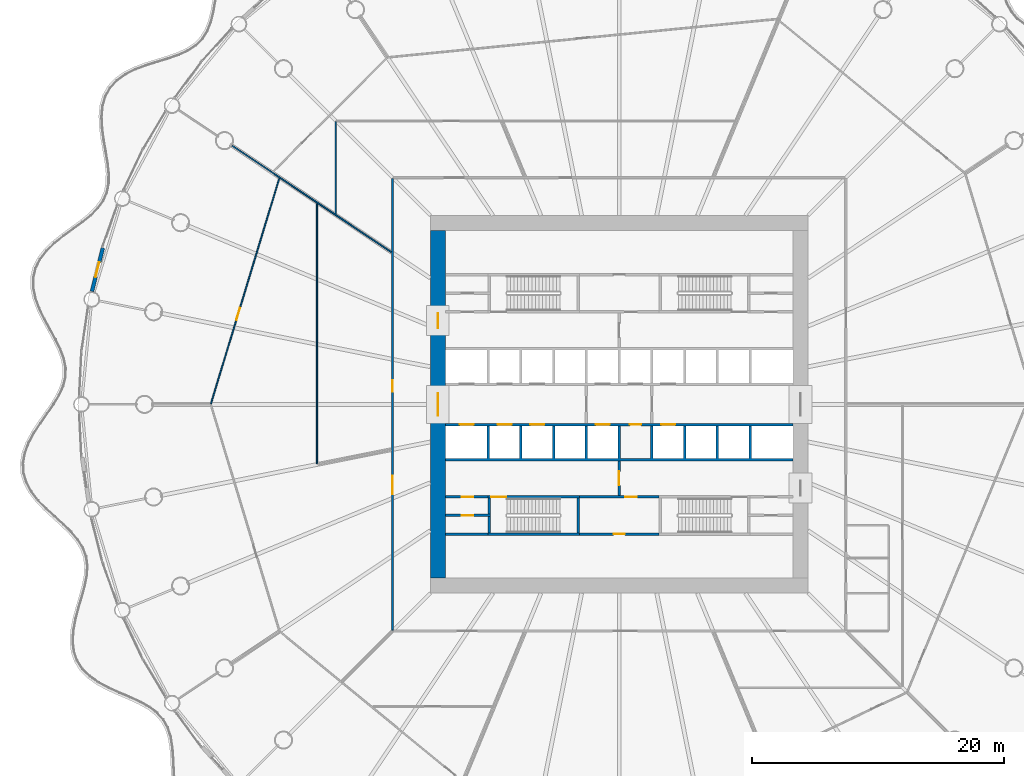
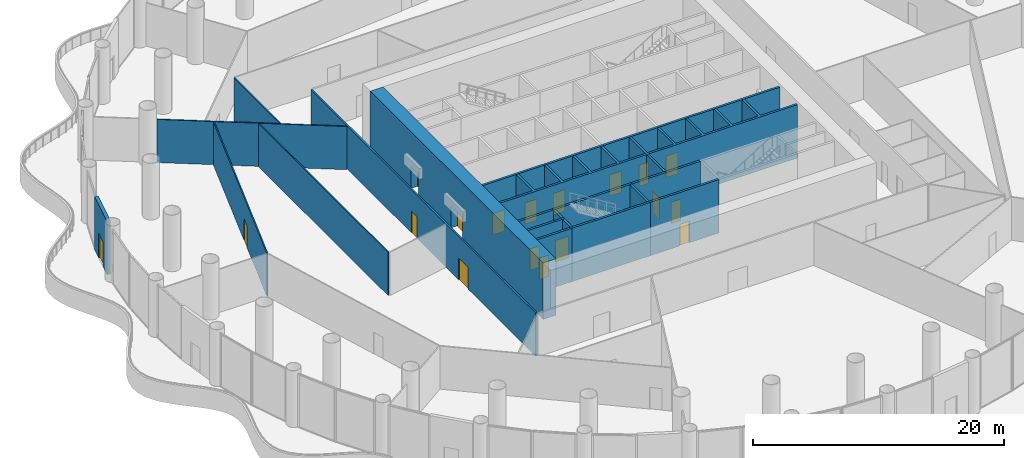
# One storey, part 24 of 37: 20 walls, 18 doors, 18 openings.
"""IFC4 building model written with IfcOpenShell, lengths in metres."""

from ifc_helpers import new_model, si_unit, direction, frame, frame_2d, origin, place, context, subcontext, project, spatial, polyline, rectangle, outline, extrude, material, layer, layer_set, type_object, element, fill, save


model = new_model("IFC4")

# Units and contexts
model_context = context("Model", 3, precision=1e-05, world=origin(), true_north=direction((0.0, 1.0)))
body_context = subcontext(model_context, "Body", "Model", "MODEL_VIEW")
ifc_project = project(units=[si_unit("LENGTHUNIT", "METRE"), si_unit("AREAUNIT", "SQUARE_METRE"), si_unit("VOLUMEUNIT", "CUBIC_METRE"), si_unit("PLANEANGLEUNIT", "RADIAN"), si_unit("MASSUNIT", "GRAM", prefix="KILO")], contexts=[model_context])

# Site, building, storey
site_placement = place(None, origin())
site = spatial("IfcSite", under=ifc_project, at=site_placement, CompositionType="ELEMENT")
building_placement = place(site_placement, origin())
building = spatial("IfcBuilding", under=site, at=building_placement, Name="Corvane Civic Tower", CompositionType="ELEMENT")
storey_placement = place(building_placement, frame((0.0, 0.0, 11.5)))
storey = spatial("IfcBuildingStorey", under=building, at=storey_placement, Name="L02", CompositionType="ELEMENT", Elevation=11.5)

# Wall, openings, doors
ifc_material_1 = material(Name="Concrete C80/95", Category="concrete")
ifc_layer_1 = layer(ifc_material_1, 1.199951171875)
ifc_layer_set_1 = layer_set([ifc_layer_1], Name="Concrete C80/95")
wall_type_1 = type_object("IfcWallType", Name="CORE WALL 1200 C80/95", PredefinedType="SHEAR", material=ifc_layer_set_1)
wall_1_placement = place(storey_placement, frame((-14.39990234375, -13.800048828125, 0.0), z_axis=(0.0, 0.0, 1.0), x_axis=(0.0, 1.0, 0.0)))
wall_1 = element("IfcWall", 1, at=wall_1_placement, inside=storey, type_object=wall_type_1, Name="W-L02-core-W", PredefinedType="SHEAR", context=body_context, shape_type="SweptSolid", body=[
    extrude(rectangle(XDim=27.60009765625, YDim=1.199951171875, at=frame_2d((13.800048828125, 0.0))), origin(), (0.0, 0.0, 1.0), 5.5),
])
opening_1_placement = place(wall_1_placement, frame((12.89990234375, 0.0, 0.0)))
opening_1 = element("IfcOpeningElement", 2, at=opening_1_placement, cuts=wall_1, Name="Opening L02.C22", PredefinedType="OPENING", context=body_context, shape_type="SweptSolid", body=[
    extrude(rectangle(XDim=1.800048828125, YDim=2.10009765625, at=frame_2d((0.89990234375, 1.050048828125))), frame((0.0, 0.60986328125, 0.0), z_axis=(0.0, -1.0, 0.0), x_axis=(1.0, 0.0, 0.0)), (0.0, 0.0, 1.0), 1.219970703125),
])
opening_2_placement = place(wall_1_placement, frame((19.85009765625, 0.0, 0.0)))
opening_2 = element("IfcOpeningElement", 3, at=opening_2_placement, cuts=wall_1, Name="Opening L02.C24", PredefinedType="OPENING", context=body_context, shape_type="SweptSolid", body=[
    extrude(rectangle(XDim=1.199951171875, YDim=2.10009765625, at=frame_2d((0.60009765625, 1.050048828125))), frame((0.0, 0.60986328125, 0.0), z_axis=(0.0, -1.0, 0.0), x_axis=(1.0, 0.0, 0.0)), (0.0, 0.0, 1.0), 1.219970703125),
])
ifc_material_2 = material(Name="Steel fire door leaf", Category="steel")
door_type_1 = type_object("IfcDoorType", Name="CR-DOOR-CORE-1800", OperationType="DOUBLE_DOOR_SINGLE_SWING", PredefinedType="DOOR", material=ifc_material_2)
door_1_placement = place(opening_1_placement, origin())
door_1 = element("IfcDoor", 4, at=door_1_placement, inside=storey, type_object=door_type_1, Name="L02 door", OperationType="DOUBLE_DOOR_SINGLE_SWING", OverallHeight=2.10009765625, OverallWidth=1.800048828125, PredefinedType="DOOR", context=body_context, shape_type="SweptSolid", body=[
    extrude(rectangle(XDim=1.800048828125, YDim=2.10009765625, at=frame_2d((0.89990234375, 1.050048828125))), frame((0.0, 0.02490234375, 0.0), z_axis=(0.0, -1.0, 0.0), x_axis=(1.0, 0.0, 0.0)), (0.0, 0.0, 1.0), 0.050048828125),
])
fill(opening_1, door_1)
door_2_placement = place(opening_2_placement, origin())
door_2 = element("IfcDoor", 5, at=door_2_placement, inside=storey, type_object=door_type_1, Name="L02 door", OperationType="DOUBLE_DOOR_SINGLE_SWING", OverallHeight=2.10009765625, OverallWidth=1.199951171875, PredefinedType="DOOR", context=body_context, shape_type="SweptSolid", body=[
    extrude(rectangle(XDim=1.199951171875, YDim=2.10009765625, at=frame_2d((0.60009765625, 1.050048828125))), frame((0.0, 0.02490234375, 0.0), z_axis=(0.0, -1.0, 0.0), x_axis=(1.0, 0.0, 0.0)), (0.0, 0.0, 1.0), 0.050048828125),
])
fill(opening_2, door_2)

# Wall, opening, door
ifc_material_3 = material(Name="Concrete C30/37", Category="concrete")
ifc_layer_2 = layer(ifc_material_3, 0.199951171875)
ifc_layer_set_2 = layer_set([ifc_layer_2], Name="Concrete C30/37")
wall_type_2 = type_object("IfcWallType", Name="CR-WALL-200", PredefinedType="PARTITIONING", material=ifc_layer_set_2)
wall_2_placement = place(storey_placement, frame((-3.14990234375, -10.300048828125, 0.0), z_axis=(0.0, 0.0, 1.0), x_axis=(1.0, 0.0, 0.0)))
wall_2 = element("IfcWall", 6, at=wall_2_placement, inside=storey, type_object=wall_type_2, Name="L02 partition wall", PredefinedType="PARTITIONING", context=body_context, shape_type="SweptSolid", body=[
    extrude(rectangle(XDim=6.2998046875, YDim=0.199951171875, at=frame_2d((3.14990234375, 0.0))), origin(), (0.0, 0.0, 1.0), 5.199951171875),
])
opening_3_placement = place(wall_2_placement, frame((2.699951171875, 0.0, 0.0)))
opening_3 = element("IfcOpeningElement", 7, at=opening_3_placement, cuts=wall_2, Name="Opening L02.C05", PredefinedType="OPENING", context=body_context, shape_type="SweptSolid", body=[
    extrude(rectangle(XDim=0.89990234375, YDim=2.10009765625, at=frame_2d((0.449951171875, 1.050048828125))), frame((0.0, 0.10986328125, 0.0), z_axis=(0.0, -1.0, 0.0), x_axis=(1.0, 0.0, 0.0)), (0.0, 0.0, 1.0), 0.219970703125),
])
ifc_material_4 = material(Name="Steel fire door leaf", Category="steel")
door_type_2 = type_object("IfcDoorType", Name="CR-DOOR-900", OperationType="SINGLE_SWING_LEFT", PredefinedType="DOOR", material=ifc_material_4)
door_3_placement = place(opening_3_placement, origin())
door_3 = element("IfcDoor", 8, at=door_3_placement, inside=storey, type_object=door_type_2, Name="L02 door", OperationType="SINGLE_SWING_LEFT", OverallHeight=2.10009765625, OverallWidth=0.89990234375, PredefinedType="DOOR", context=body_context, shape_type="SweptSolid", body=[
    extrude(rectangle(XDim=0.89990234375, YDim=2.10009765625, at=frame_2d((0.449951171875, 1.050048828125))), frame((0.0, 0.02490234375, 0.0), z_axis=(0.0, -1.0, 0.0), x_axis=(1.0, 0.0, 0.0)), (0.0, 0.0, 1.0), 0.050048828125),
])
fill(opening_3, door_3)

wall_3_placement = place(storey_placement, frame((-13.800048828125, -8.824951171875, 0.0), z_axis=(0.0, 0.0, 1.0), x_axis=(1.0, 0.0, 0.0)))
wall_3 = element("IfcWall", 9, at=wall_3_placement, inside=storey, type_object=wall_type_2, Name="L02 partition wall", PredefinedType="PARTITIONING", context=body_context, shape_type="SweptSolid", body=[
    extrude(rectangle(XDim=3.60009765625, YDim=0.199951171875, at=frame_2d((1.800048828125, 0.0))), origin(), (0.0, 0.0, 1.0), 5.199951171875),
])
opening_4_placement = place(wall_3_placement, frame((1.300048828125, 0.0, 0.0)))
opening_4 = element("IfcOpeningElement", 10, at=opening_4_placement, cuts=wall_3, Name="Opening L02.C09", PredefinedType="OPENING", context=body_context, shape_type="SweptSolid", body=[
    extrude(rectangle(XDim=0.89990234375, YDim=2.10009765625, at=frame_2d((0.449951171875, 1.050048828125))), frame((0.0, 0.10986328125, 0.0), z_axis=(0.0, -1.0, 0.0), x_axis=(1.0, 0.0, 0.0)), (0.0, 0.0, 1.0), 0.219970703125),
])
door_4_placement = place(opening_4_placement, origin())
door_4 = element("IfcDoor", 11, at=door_4_placement, inside=storey, type_object=door_type_2, Name="L02 door", OperationType="SINGLE_SWING_LEFT", OverallHeight=2.10009765625, OverallWidth=0.89990234375, PredefinedType="DOOR", context=body_context, shape_type="SweptSolid", body=[
    extrude(rectangle(XDim=0.89990234375, YDim=2.10009765625, at=frame_2d((0.449951171875, 1.050048828125))), frame((0.0, 0.02490234375, 0.0), z_axis=(0.0, -1.0, 0.0), x_axis=(1.0, 0.0, 0.0)), (0.0, 0.0, 1.0), 0.050048828125),
])
fill(opening_4, door_4)

wall_4_placement = place(storey_placement, frame((-13.800048828125, -7.35009765625, 0.0), z_axis=(0.0, 0.0, 1.0), x_axis=(1.0, 0.0, 0.0)))
wall_4 = element("IfcWall", 12, at=wall_4_placement, inside=storey, type_object=wall_type_2, Name="L02 core partition wall", PredefinedType="PARTITIONING", context=body_context, shape_type="SweptSolid", body=[
    extrude(rectangle(XDim=3.400146484375, YDim=0.199951171875, at=frame_2d((1.7001953125, 0.0))), origin(), (0.0, 0.0, 1.0), 5.199951171875),
])
opening_5_placement = place(wall_4_placement, frame((1.300048828125, 0.0, 0.0)))
opening_5 = element("IfcOpeningElement", 13, at=opening_5_placement, cuts=wall_4, Name="Opening L02.C08", PredefinedType="OPENING", context=body_context, shape_type="SweptSolid", body=[
    extrude(rectangle(XDim=0.89990234375, YDim=2.10009765625, at=frame_2d((0.449951171875, 1.050048828125))), frame((0.0, 0.10986328125, 0.0), z_axis=(0.0, -1.0, 0.0), x_axis=(1.0, 0.0, 0.0)), (0.0, 0.0, 1.0), 0.219970703125),
])
door_5_placement = place(opening_5_placement, origin())
door_5 = element("IfcDoor", 14, at=door_5_placement, inside=storey, type_object=door_type_2, Name="L02 door", OperationType="SINGLE_SWING_LEFT", OverallHeight=2.10009765625, OverallWidth=0.89990234375, PredefinedType="DOOR", context=body_context, shape_type="SweptSolid", body=[
    extrude(rectangle(XDim=0.89990234375, YDim=2.10009765625, at=frame_2d((0.449951171875, 1.050048828125))), frame((0.0, 0.02490234375, 0.0), z_axis=(0.0, -1.0, 0.0), x_axis=(1.0, 0.0, 0.0)), (0.0, 0.0, 1.0), 0.050048828125),
])
fill(opening_5, door_5)

wall_5_placement = place(storey_placement, frame((-3.14990234375, -7.35009765625, 0.0), z_axis=(0.0, 0.0, 1.0), x_axis=(1.0, 0.0, 0.0)))
wall_5 = element("IfcWall", 15, at=wall_5_placement, inside=storey, type_object=wall_type_2, Name="L02 partition wall", PredefinedType="PARTITIONING", context=body_context, shape_type="SweptSolid", body=[
    extrude(rectangle(XDim=6.2998046875, YDim=0.199951171875, at=frame_2d((3.14990234375, 0.0))), origin(), (0.0, 0.0, 1.0), 5.199951171875),
])
opening_6_placement = place(wall_5_placement, frame((3.64990234375, 0.0, 0.0)))
opening_6 = element("IfcOpeningElement", 16, at=opening_6_placement, cuts=wall_5, Name="Opening L02.C03", PredefinedType="OPENING", context=body_context, shape_type="SweptSolid", body=[
    extrude(rectangle(XDim=0.89990234375, YDim=2.10009765625, at=frame_2d((0.449951171875, 1.050048828125))), frame((0.0, 0.10986328125, 0.0), z_axis=(0.0, -1.0, 0.0), x_axis=(1.0, 0.0, 0.0)), (0.0, 0.0, 1.0), 0.219970703125),
])
door_6_placement = place(opening_6_placement, origin())
door_6 = element("IfcDoor", 17, at=door_6_placement, inside=storey, type_object=door_type_2, Name="L02 door", OperationType="SINGLE_SWING_LEFT", OverallHeight=2.10009765625, OverallWidth=0.89990234375, PredefinedType="DOOR", context=body_context, shape_type="SweptSolid", body=[
    extrude(rectangle(XDim=0.89990234375, YDim=2.10009765625, at=frame_2d((0.449951171875, 1.050048828125))), frame((0.0, 0.02490234375, 0.0), z_axis=(0.0, -1.0, 0.0), x_axis=(1.0, 0.0, 0.0)), (0.0, 0.0, 1.0), 0.050048828125),
])
fill(opening_6, door_6)

# Wall, openings, doors
wall_6_placement = place(storey_placement, frame((-13.800048828125, -1.60009765625, 0.0), z_axis=(0.0, 0.0, 1.0), x_axis=(1.0, 0.0, 0.0)))
wall_6 = element("IfcWall", 18, at=wall_6_placement, inside=storey, type_object=wall_type_2, Name="L02 lift shaft wall", PredefinedType="PARTITIONING", context=body_context, shape_type="SweptSolid", body=[
    extrude(rectangle(XDim=27.60009765625, YDim=0.199951171875, at=frame_2d((13.800048828125, 0.0))), origin(), (0.0, 0.0, 1.0), 5.199951171875),
])
opening_7_placement = place(wall_6_placement, frame((1.14990234375, 0.0, 0.0)))
opening_7 = element("IfcOpeningElement", 19, at=opening_7_placement, cuts=wall_6, Name="Opening LD", PredefinedType="OPENING", context=body_context, shape_type="SweptSolid", body=[
    extrude(rectangle(XDim=1.10009765625, YDim=2.10009765625, at=frame_2d((0.550048828125, 1.050048828125))), frame((0.0, 0.10986328125, 0.0), z_axis=(0.0, -1.0, 0.0), x_axis=(1.0, 0.0, 0.0)), (0.0, 0.0, 1.0), 0.219970703125),
])
opening_8_placement = place(wall_6_placement, frame((4.14990234375, 0.0, 0.0)))
opening_8 = element("IfcOpeningElement", 20, at=opening_8_placement, cuts=wall_6, Name="Opening LD", PredefinedType="OPENING", context=body_context, shape_type="SweptSolid", body=[
    extrude(rectangle(XDim=1.10009765625, YDim=2.10009765625, at=frame_2d((0.550048828125, 1.050048828125))), frame((0.0, 0.10986328125, 0.0), z_axis=(0.0, -1.0, 0.0), x_axis=(1.0, 0.0, 0.0)), (0.0, 0.0, 1.0), 0.219970703125),
])
opening_9_placement = place(wall_6_placement, frame((6.75, 0.0, 0.0)))
opening_9 = element("IfcOpeningElement", 21, at=opening_9_placement, cuts=wall_6, Name="Opening LD", PredefinedType="OPENING", context=body_context, shape_type="SweptSolid", body=[
    extrude(rectangle(XDim=1.10009765625, YDim=2.10009765625, at=frame_2d((0.550048828125, 1.050048828125))), frame((0.0, 0.10986328125, 0.0), z_axis=(0.0, -1.0, 0.0), x_axis=(1.0, 0.0, 0.0)), (0.0, 0.0, 1.0), 0.219970703125),
])
opening_10_placement = place(wall_6_placement, frame((11.949951171875, 0.0, 0.0)))
opening_10 = element("IfcOpeningElement", 22, at=opening_10_placement, cuts=wall_6, Name="Opening LD", PredefinedType="OPENING", context=body_context, shape_type="SweptSolid", body=[
    extrude(rectangle(XDim=1.10009765625, YDim=2.10009765625, at=frame_2d((0.550048828125, 1.050048828125))), frame((0.0, 0.10986328125, 0.0), z_axis=(0.0, -1.0, 0.0), x_axis=(1.0, 0.0, 0.0)), (0.0, 0.0, 1.0), 0.219970703125),
])
opening_11_placement = place(wall_6_placement, frame((14.64990234375, 0.0, 0.0)))
opening_11 = element("IfcOpeningElement", 23, at=opening_11_placement, cuts=wall_6, Name="Opening L02.C01", PredefinedType="OPENING", context=body_context, shape_type="SweptSolid", body=[
    extrude(rectangle(XDim=0.89990234375, YDim=2.10009765625, at=frame_2d((0.449951171875, 1.050048828125))), frame((0.0, 0.10986328125, 0.0), z_axis=(0.0, -1.0, 0.0), x_axis=(1.0, 0.0, 0.0)), (0.0, 0.0, 1.0), 0.219970703125),
])
opening_12_placement = place(wall_6_placement, frame((17.14990234375, 0.0, 0.0)))
opening_12 = element("IfcOpeningElement", 24, at=opening_12_placement, cuts=wall_6, Name="Opening LD", PredefinedType="OPENING", context=body_context, shape_type="SweptSolid", body=[
    extrude(rectangle(XDim=1.10009765625, YDim=2.10009765625, at=frame_2d((0.550048828125, 1.050048828125))), frame((0.0, 0.10986328125, 0.0), z_axis=(0.0, -1.0, 0.0), x_axis=(1.0, 0.0, 0.0)), (0.0, 0.0, 1.0), 0.219970703125),
])
door_7_placement = place(opening_11_placement, origin())
door_7 = element("IfcDoor", 25, at=door_7_placement, inside=storey, type_object=door_type_2, Name="L02 door", OperationType="SINGLE_SWING_LEFT", OverallHeight=2.10009765625, OverallWidth=0.89990234375, PredefinedType="DOOR", context=body_context, shape_type="SweptSolid", body=[
    extrude(rectangle(XDim=0.89990234375, YDim=2.10009765625, at=frame_2d((0.449951171875, 1.050048828125))), frame((0.0, 0.02490234375, 0.0), z_axis=(0.0, -1.0, 0.0), x_axis=(1.0, 0.0, 0.0)), (0.0, 0.0, 1.0), 0.050048828125),
])
fill(opening_11, door_7)
ifc_material_5 = material(Name="Stainless steel 316 door leaves", Category="steel")
door_type_3 = type_object("IfcDoorType", Name="LD", OperationType="DOUBLE_DOOR_SLIDING", PredefinedType="DOOR", material=ifc_material_5)
door_8_placement = place(opening_7_placement, origin())
door_8 = element("IfcDoor", 26, at=door_8_placement, inside=storey, type_object=door_type_3, Name="L02 landing door", OperationType="DOUBLE_DOOR_SLIDING", OverallHeight=2.10009765625, OverallWidth=1.10009765625, PredefinedType="DOOR", context=body_context, shape_type="SweptSolid", body=[
    extrude(rectangle(XDim=1.10009765625, YDim=2.10009765625, at=frame_2d((0.550048828125, 1.050048828125))), frame((0.0, 0.02490234375, 0.0), z_axis=(0.0, -1.0, 0.0), x_axis=(1.0, 0.0, 0.0)), (0.0, 0.0, 1.0), 0.050048828125),
])
fill(opening_7, door_8)
door_9_placement = place(opening_8_placement, origin())
door_9 = element("IfcDoor", 27, at=door_9_placement, inside=storey, type_object=door_type_3, Name="L02 landing door", OperationType="DOUBLE_DOOR_SLIDING", OverallHeight=2.10009765625, OverallWidth=1.10009765625, PredefinedType="DOOR", context=body_context, shape_type="SweptSolid", body=[
    extrude(rectangle(XDim=1.10009765625, YDim=2.10009765625, at=frame_2d((0.550048828125, 1.050048828125))), frame((0.0, 0.02490234375, 0.0), z_axis=(0.0, -1.0, 0.0), x_axis=(1.0, 0.0, 0.0)), (0.0, 0.0, 1.0), 0.050048828125),
])
fill(opening_8, door_9)
door_10_placement = place(opening_9_placement, origin())
door_10 = element("IfcDoor", 28, at=door_10_placement, inside=storey, type_object=door_type_3, Name="L02 landing door", OperationType="DOUBLE_DOOR_SLIDING", OverallHeight=2.10009765625, OverallWidth=1.10009765625, PredefinedType="DOOR", context=body_context, shape_type="SweptSolid", body=[
    extrude(rectangle(XDim=1.10009765625, YDim=2.10009765625, at=frame_2d((0.550048828125, 1.050048828125))), frame((0.0, 0.02490234375, 0.0), z_axis=(0.0, -1.0, 0.0), x_axis=(1.0, 0.0, 0.0)), (0.0, 0.0, 1.0), 0.050048828125),
])
fill(opening_9, door_10)
door_11_placement = place(opening_10_placement, origin())
door_11 = element("IfcDoor", 29, at=door_11_placement, inside=storey, type_object=door_type_3, Name="L02 landing door", OperationType="DOUBLE_DOOR_SLIDING", OverallHeight=2.10009765625, OverallWidth=1.10009765625, PredefinedType="DOOR", context=body_context, shape_type="SweptSolid", body=[
    extrude(rectangle(XDim=1.10009765625, YDim=2.10009765625, at=frame_2d((0.550048828125, 1.050048828125))), frame((0.0, 0.02490234375, 0.0), z_axis=(0.0, -1.0, 0.0), x_axis=(1.0, 0.0, 0.0)), (0.0, 0.0, 1.0), 0.050048828125),
])
fill(opening_10, door_11)
door_12_placement = place(opening_12_placement, origin())
door_12 = element("IfcDoor", 30, at=door_12_placement, inside=storey, type_object=door_type_3, Name="L02 landing door", OperationType="DOUBLE_DOOR_SLIDING", OverallHeight=2.10009765625, OverallWidth=1.10009765625, PredefinedType="DOOR", context=body_context, shape_type="SweptSolid", body=[
    extrude(rectangle(XDim=1.10009765625, YDim=2.10009765625, at=frame_2d((0.550048828125, 1.050048828125))), frame((0.0, 0.02490234375, 0.0), z_axis=(0.0, -1.0, 0.0), x_axis=(1.0, 0.0, 0.0)), (0.0, 0.0, 1.0), 0.050048828125),
])
fill(opening_12, door_12)

# Wall, opening, door
wall_7_placement = place(storey_placement, frame((0.0, -7.25, 0.0), z_axis=(0.0, 0.0, 1.0), x_axis=(0.0, 1.0, 0.0)))
wall_7 = element("IfcWall", 31, at=wall_7_placement, inside=storey, type_object=wall_type_2, Name="L02 core partition wall", PredefinedType="PARTITIONING", context=body_context, shape_type="SweptSolid", body=[
    extrude(rectangle(XDim=2.75, YDim=0.199951171875, at=frame_2d((1.375, 0.0))), origin(), (0.0, 0.0, 1.0), 5.199951171875),
])
opening_13_placement = place(wall_7_placement, frame((0.824951171875, 0.0, 0.0)))
opening_13 = element("IfcOpeningElement", 32, at=opening_13_placement, cuts=wall_7, Name="Opening L02.C21", PredefinedType="OPENING", context=body_context, shape_type="SweptSolid", body=[
    extrude(rectangle(XDim=1.10009765625, YDim=2.10009765625, at=frame_2d((0.550048828125, 1.050048828125))), frame((0.0, 0.10986328125, 0.0), z_axis=(0.0, -1.0, 0.0), x_axis=(1.0, 0.0, 0.0)), (0.0, 0.0, 1.0), 0.219970703125),
])
ifc_material_6 = material(Name="Steel fire door leaf", Category="steel")
door_type_4 = type_object("IfcDoorType", Name="CR-DOOR-FFL-1100", OperationType="SINGLE_SWING_LEFT", PredefinedType="DOOR", material=ifc_material_6)
door_13_placement = place(opening_13_placement, origin())
door_13 = element("IfcDoor", 33, at=door_13_placement, inside=storey, type_object=door_type_4, Name="L02 lobby door", OperationType="SINGLE_SWING_LEFT", OverallHeight=2.10009765625, OverallWidth=1.10009765625, PredefinedType="DOOR", context=body_context, shape_type="SweptSolid", body=[
    extrude(rectangle(XDim=1.10009765625, YDim=2.10009765625, at=frame_2d((0.550048828125, 1.050048828125))), frame((0.0, 0.02490234375, 0.0), z_axis=(0.0, -1.0, 0.0), x_axis=(1.0, 0.0, 0.0)), (0.0, 0.0, 1.0), 0.050048828125),
])
fill(opening_13, door_13)

# Walls
wall_8_placement = place(storey_placement, origin())
element("IfcWall", 34, at=wall_8_placement, inside=storey, type_object=wall_type_2, Name="L02 core partition wall", PredefinedType="PARTITIONING", context=body_context, shape_type="SweptSolid", body=[
    extrude(outline(polyline([(-10.39990234375, -10.39990234375), (-13.800048828125, -10.39990234375), (-13.800048828125, -10.199951171875), (-10.39990234375, -10.199951171875), (-10.39990234375, -10.39990234375)])), origin(), (0.0, 0.0, 1.0), 5.199951171875),
])
wall_9_placement = place(storey_placement, origin())
element("IfcWall", 35, at=wall_9_placement, inside=storey, type_object=wall_type_2, Name="L02 core partition wall", PredefinedType="PARTITIONING", context=body_context, shape_type="SweptSolid", body=[
    extrude(outline(polyline([(-10.5, -1.699951171875), (-10.300048828125, -1.699951171875), (-10.300048828125, -4.300048828125), (-7.89990234375, -4.300048828125), (-7.89990234375, -1.699951171875), (-7.699951171875, -1.699951171875), (-7.699951171875, -4.300048828125), (-5.300048828125, -4.300048828125), (-5.300048828125, -1.699951171875), (-5.10009765625, -1.699951171875), (-5.10009765625, -4.300048828125), (-2.699951171875, -4.300048828125), (-2.699951171875, -1.699951171875), (-2.5, -1.699951171875), (-2.5, -4.300048828125), (-0.10009765625, -4.300048828125), (-0.10009765625, -1.699951171875), (0.10009765625, -1.699951171875), (0.10009765625, -4.300048828125), (2.5, -4.300048828125), (2.5, -1.699951171875), (2.699951171875, -1.699951171875), (2.699951171875, -4.300048828125), (5.10009765625, -4.300048828125), (5.10009765625, -1.699951171875), (5.300048828125, -1.699951171875), (5.300048828125, -4.300048828125), (7.699951171875, -4.300048828125), (7.699951171875, -1.699951171875), (7.89990234375, -1.699951171875), (7.89990234375, -4.300048828125), (10.300048828125, -4.300048828125), (10.300048828125, -1.699951171875), (10.5, -1.699951171875), (10.5, -4.300048828125), (13.800048828125, -4.300048828125), (13.800048828125, -4.5), (-13.800048828125, -4.5), (-13.800048828125, -4.300048828125), (-10.5, -4.300048828125), (-10.5, -1.699951171875)])), origin(), (0.0, 0.0, 1.0), 5.199951171875),
])

# Wall, opening, door
ifc_material_7 = material(Name="Terracotta cladding", Category="masonry")
ifc_layer_3 = layer(ifc_material_7, 0.300048828125)
ifc_layer_set_3 = layer_set([ifc_layer_3], Name="Terracotta cladding")
wall_type_3 = type_object("IfcWallType", Name="PODIUM-W-DRUMDOOR-300", PredefinedType="SOLIDWALL", material=ifc_layer_set_3)
wall_10_placement = place(storey_placement, frame((-41.872802734375, 8.973388671875, 0.0), z_axis=(0.0, 0.0, 1.0), x_axis=(0.243003601959, 0.970025385974, 0.0)))
wall_10 = element("IfcWall", 36, at=wall_10_placement, inside=storey, type_object=wall_type_3, Name="L02 drum door bay wall 26", PredefinedType="SOLIDWALL", context=body_context, shape_type="SweptSolid", body=[
    extrude(rectangle(XDim=3.5595703125, YDim=0.300048828125, at=frame_2d((1.77978515625, 0.0))), origin(), (0.0, 0.0, 1.0), 5.199951171875),
])
opening_14_placement = place(wall_10_placement, frame((1.179931640625, 0.0, 0.0)))
opening_14 = element("IfcOpeningElement", 37, at=opening_14_placement, cuts=wall_10, Name="Opening ED-L02-26", PredefinedType="OPENING", context=body_context, shape_type="SweptSolid", body=[
    extrude(rectangle(XDim=1.199951171875, YDim=2.39990234375, at=frame_2d((0.60009765625, 1.199951171875))), frame((0.0, 0.159912109375, 0.0), z_axis=(0.0, -1.0, 0.0), x_axis=(1.0, 0.0, 0.0)), (0.0, 0.0, 1.0), 0.320068359375),
])
ifc_material_8 = material(Name="Anodised aluminium and glass", Category="aluminium")
door_type_5 = type_object("IfcDoorType", Name="PODIUM-D-BALCONY-1200", OperationType="SINGLE_SWING_LEFT", PredefinedType="DOOR", material=ifc_material_8)
door_14_placement = place(opening_14_placement, origin())
door_14 = element("IfcDoor", 38, at=door_14_placement, inside=storey, type_object=door_type_5, Name="L02 balcony door 26", OperationType="SINGLE_SWING_RIGHT", OverallHeight=2.39990234375, OverallWidth=1.199951171875, PredefinedType="DOOR", context=body_context, shape_type="SweptSolid", body=[
    extrude(rectangle(XDim=1.199951171875, YDim=2.39990234375, at=frame_2d((0.60009765625, 1.199951171875))), frame((0.0, 0.02490234375, 0.0), z_axis=(0.0, -1.0, 0.0), x_axis=(1.0, 0.0, 0.0)), (0.0, 0.0, 1.0), 0.050048828125),
])
fill(opening_14, door_14)

# Wall
ifc_material_9 = material(Name="Plasterboard")
ifc_layer_4 = layer(ifc_material_9, 0.10009765625)
ifc_layer_set_4 = layer_set([ifc_layer_4], Name="Plasterboard")
wall_type_4 = type_object("IfcWallType", Name="Partition 100 plasterboard on studs", PredefinedType="PARTITIONING", material=ifc_layer_set_4)
wall_11_placement = place(storey_placement, frame((-24.0, -4.712890625, 0.0), z_axis=(0.0, 0.0, 1.0), x_axis=(0.0, 1.0, 0.0)))
element("IfcWall", 39, at=wall_11_placement, inside=storey, type_object=wall_type_4, Name="Partition L02.027", PredefinedType="PARTITIONING", context=body_context, shape_type="SweptSolid", body=[
    extrude(rectangle(XDim=20.655517578125, YDim=0.10009765625, at=frame_2d((10.32763671875, 0.0))), origin(), (0.0, 0.0, 1.0), 4.199951171875),
])

# Wall, opening, door
wall_12_placement = place(storey_placement, frame((-32.4267578125, 0.035400390625, 0.0), z_axis=(0.0, 0.0, 1.0), x_axis=(0.2902791064, 0.956942025615, 0.0)))
wall_12 = element("IfcWall", 40, at=wall_12_placement, inside=storey, type_object=wall_type_4, Name="Partition L02.032", PredefinedType="PARTITIONING", context=body_context, shape_type="SweptSolid", body=[
    extrude(rectangle(XDim=18.727783203125, YDim=0.10009765625, at=frame_2d((9.36376953125, 0.0))), origin(), (0.0, 0.0, 1.0), 4.199951171875),
])
opening_15_placement = place(wall_12_placement, frame((6.96630859375, 0.0, 0.0)))
opening_15 = element("IfcOpeningElement", 41, at=opening_15_placement, cuts=wall_12, Name="Opening L02.020", PredefinedType="OPENING", context=body_context, shape_type="SweptSolid", body=[
    extrude(rectangle(XDim=1.0, YDim=2.10009765625, at=frame_2d((0.5, 1.050048828125))), frame((0.0, 0.06005859375, 0.0), z_axis=(0.0, -1.0, 0.0), x_axis=(1.0, 0.0, 0.0)), (0.0, 0.0, 1.0), 0.1201171875),
])
ifc_material_10 = material(Name="Timber", Category="wood")
door_type_6 = type_object("IfcDoorType", Name="Single door 1000", OperationType="NOTDEFINED", PredefinedType="DOOR", material=ifc_material_10)
door_15_placement = place(opening_15_placement, origin())
door_15 = element("IfcDoor", 42, at=door_15_placement, inside=storey, type_object=door_type_6, Name="Door L02.020", OperationType="SINGLE_SWING_RIGHT", OverallHeight=2.10009765625, OverallWidth=1.0, PredefinedType="DOOR", context=body_context, shape_type="SweptSolid", body=[
    extrude(rectangle(XDim=1.0, YDim=2.10009765625, at=frame_2d((0.5, 1.050048828125))), frame((0.0, 0.02490234375, 0.0), z_axis=(0.0, -1.0, 0.0), x_axis=(1.0, 0.0, 0.0)), (0.0, 0.0, 1.0), 0.050048828125),
])
fill(opening_15, door_15)

# Walls
wall_13_placement = place(storey_placement, frame((-30.756103515625, 20.550537109375, 0.0), z_axis=(0.0, 0.0, 1.0), x_axis=(0.83147229833, -0.555566213074, 0.0)))
element("IfcWall", 43, at=wall_13_placement, inside=storey, type_object=wall_type_4, Name="Partition L02.034", PredefinedType="PARTITIONING", context=body_context, shape_type="SweptSolid", body=[
    extrude(rectangle(XDim=15.218017578125, YDim=0.10009765625, at=frame_2d((7.60888671875, 0.0))), origin(), (0.0, 0.0, 1.0), 4.199951171875),
])
wall_14_placement = place(storey_placement, frame((-22.5, 15.127685546875, 0.0), z_axis=(0.0, 0.0, 1.0), x_axis=(0.0, 1.0, 0.0)))
element("IfcWall", 44, at=wall_14_placement, inside=storey, type_object=wall_type_4, Name="Partition L02.035", PredefinedType="PARTITIONING", context=body_context, shape_type="SweptSolid", body=[
    extrude(rectangle(XDim=7.322265625, YDim=0.10009765625, at=frame_2d((3.6611328125, 0.0))), origin(), (0.0, 0.0, 1.0), 4.199951171875),
])

# Wall, opening, door
ifc_material_11 = material(Name="Concrete C50/60", Category="concrete")
ifc_layer_5 = layer(ifc_material_11, 0.199951171875)
ifc_layer_set_5 = layer_set([ifc_layer_5], Name="Concrete C50/60")
wall_type_5 = type_object("IfcWallType", Name="ST-WALL-200", PredefinedType="SHEAR", material=ifc_layer_set_5)
wall_15_placement = place(storey_placement, frame((-10.39990234375, -7.35009765625, 0.0), z_axis=(0.0, 0.0, 1.0), x_axis=(1.0, 0.0, 0.0)))
wall_15 = element("IfcWall", 45, at=wall_15_placement, inside=storey, type_object=wall_type_5, Name="L02 stair enclosure wall", PredefinedType="SHEAR", context=body_context, shape_type="SweptSolid", body=[
    extrude(rectangle(XDim=7.25, YDim=0.199951171875, at=frame_2d((3.625, 0.0))), origin(), (0.0, 0.0, 1.0), 5.199951171875),
])
opening_16_placement = place(wall_15_placement, frame((0.25, 0.0, 0.0)))
opening_16 = element("IfcOpeningElement", 46, at=opening_16_placement, cuts=wall_15, Name="Opening L02.C17", PredefinedType="OPENING", context=body_context, shape_type="SweptSolid", body=[
    extrude(rectangle(XDim=1.199951171875, YDim=2.10009765625, at=frame_2d((0.60009765625, 1.050048828125))), frame((0.0, 0.10986328125, 0.0), z_axis=(0.0, -1.0, 0.0), x_axis=(1.0, 0.0, 0.0)), (0.0, 0.0, 1.0), 0.219970703125),
])
ifc_material_12 = material(Name="Steel fire door leaf", Category="steel")
door_type_7 = type_object("IfcDoorType", Name="ST-DOOR-1200", OperationType="SINGLE_SWING_RIGHT", PredefinedType="DOOR", material=ifc_material_12)
door_16_placement = place(opening_16_placement, origin())
door_16 = element("IfcDoor", 47, at=door_16_placement, inside=storey, type_object=door_type_7, Name="L02 stair door", OperationType="SINGLE_SWING_RIGHT", OverallHeight=2.10009765625, OverallWidth=1.199951171875, PredefinedType="DOOR", context=body_context, shape_type="SweptSolid", body=[
    extrude(rectangle(XDim=1.199951171875, YDim=2.10009765625, at=frame_2d((0.60009765625, 1.050048828125))), frame((0.0, 0.02490234375, 0.0), z_axis=(0.0, -1.0, 0.0), x_axis=(1.0, 0.0, 0.0)), (0.0, 0.0, 1.0), 0.050048828125),
])
fill(opening_16, door_16)

# Walls
wall_16_placement = place(storey_placement, origin())
element("IfcWall", 48, at=wall_16_placement, inside=storey, type_object=wall_type_5, Name="L02 stair enclosure wall", PredefinedType="SHEAR", context=body_context, shape_type="SweptSolid", body=[
    extrude(outline(polyline([(-3.14990234375, -10.199951171875), (-3.14990234375, -10.39990234375), (-10.39990234375, -10.39990234375), (-10.39990234375, -10.199951171875), (-3.14990234375, -10.199951171875)])), origin(), (0.0, 0.0, 1.0), 5.199951171875),
])
wall_17_placement = place(storey_placement, origin())
element("IfcWall", 49, at=wall_17_placement, inside=storey, type_object=wall_type_5, Name="L02 stair enclosure wall", PredefinedType="SHEAR", context=body_context, shape_type="SweptSolid", body=[
    extrude(outline(polyline([(-3.14990234375, -7.449951171875), (-3.14990234375, -10.199951171875), (-3.35009765625, -10.199951171875), (-3.35009765625, -7.449951171875), (-3.14990234375, -7.449951171875)])), origin(), (0.0, 0.0, 1.0), 5.199951171875),
])
wall_18_placement = place(storey_placement, origin())
element("IfcWall", 50, at=wall_18_placement, inside=storey, type_object=wall_type_5, Name="L02 stair enclosure wall", PredefinedType="SHEAR", context=body_context, shape_type="SweptSolid", body=[
    extrude(outline(polyline([(-10.199951171875, -7.449951171875), (-10.199951171875, -8.72509765625), (-10.39990234375, -8.72509765625), (-10.39990234375, -7.449951171875), (-10.199951171875, -7.449951171875)])), origin(), (0.0, 0.0, 1.0), 5.199951171875),
])
wall_19_placement = place(storey_placement, origin())
element("IfcWall", 51, at=wall_19_placement, inside=storey, type_object=wall_type_5, Name="L02 stair enclosure wall", PredefinedType="SHEAR", context=body_context, shape_type="SweptSolid", body=[
    extrude(outline(polyline([(-10.199951171875, -8.925048828125), (-10.199951171875, -10.199951171875), (-10.39990234375, -10.199951171875), (-10.39990234375, -8.925048828125), (-10.199951171875, -8.925048828125)])), origin(), (0.0, 0.0, 1.0), 5.199951171875),
])

# Wall, openings, doors
ifc_material_13 = material(Name="Plasterboard")
ifc_layer_6 = layer(ifc_material_13, 0.14990234375)
ifc_layer_set_6 = layer_set([ifc_layer_6], Name="Plasterboard")
wall_type_6 = type_object("IfcWallType", Name="Tenancy wall 150 EI 60", PredefinedType="PARTITIONING", material=ifc_layer_set_6)
wall_20_placement = place(storey_placement, frame((-18.0, -17.925048828125, 0.0), z_axis=(0.0, 0.0, 1.0), x_axis=(0.0, 1.0, 0.0)))
wall_20 = element("IfcWall", 52, at=wall_20_placement, inside=storey, type_object=wall_type_6, Name="Partition L02.021", PredefinedType="PARTITIONING", context=body_context, shape_type="SweptSolid", body=[
    extrude(rectangle(XDim=35.85009765625, YDim=0.14990234375, at=frame_2d((17.925048828125, 0.0))), origin(), (0.0, 0.0, 1.0), 4.199951171875),
])
opening_17_placement = place(wall_20_placement, frame((10.772216796875, 0.0, 0.0)))
opening_17 = element("IfcOpeningElement", 53, at=opening_17_placement, cuts=wall_20, Name="Opening L02.022", PredefinedType="OPENING", context=body_context, shape_type="SweptSolid", body=[
    extrude(rectangle(XDim=1.5, YDim=2.10009765625, at=frame_2d((0.75, 1.050048828125))), frame((0.0, 0.0849609375, 0.0), z_axis=(0.0, -1.0, 0.0), x_axis=(1.0, 0.0, 0.0)), (0.0, 0.0, 1.0), 0.169921875),
])
opening_18_placement = place(wall_20_placement, frame((18.944091796875, 0.0, 0.0)))
opening_18 = element("IfcOpeningElement", 54, at=opening_18_placement, cuts=wall_20, Name="Opening L02.024", PredefinedType="OPENING", context=body_context, shape_type="SweptSolid", body=[
    extrude(rectangle(XDim=0.89990234375, YDim=2.10009765625, at=frame_2d((0.449951171875, 1.050048828125))), frame((0.0, 0.0849609375, 0.0), z_axis=(0.0, -1.0, 0.0), x_axis=(1.0, 0.0, 0.0)), (0.0, 0.0, 1.0), 0.169921875),
])
ifc_material_14 = material(Name="Steel and timber", Category="steel")
door_type_8 = type_object("IfcDoorType", Name="Fire door FD30S 900", OperationType="NOTDEFINED", PredefinedType="DOOR", material=ifc_material_14)
door_17_placement = place(opening_18_placement, origin())
door_17 = element("IfcDoor", 55, at=door_17_placement, inside=storey, type_object=door_type_8, Name="Door L02.024", OperationType="SINGLE_SWING_LEFT", OverallHeight=2.10009765625, OverallWidth=0.89990234375, PredefinedType="DOOR", context=body_context, shape_type="SweptSolid", body=[
    extrude(rectangle(XDim=0.89990234375, YDim=2.10009765625, at=frame_2d((0.449951171875, 1.050048828125))), frame((0.0, 0.02490234375, 0.0), z_axis=(0.0, -1.0, 0.0), x_axis=(1.0, 0.0, 0.0)), (0.0, 0.0, 1.0), 0.050048828125),
])
fill(opening_18, door_17)
ifc_material_15 = material(Name="Steel and timber", Category="steel")
door_type_9 = type_object("IfcDoorType", Name="Fire door FD60 double 1500", OperationType="NOTDEFINED", PredefinedType="DOOR", material=ifc_material_15)
door_18_placement = place(opening_17_placement, origin())
door_18 = element("IfcDoor", 56, at=door_18_placement, inside=storey, type_object=door_type_9, Name="Door L02.022", OperationType="DOUBLE_DOOR_SINGLE_SWING", OverallHeight=2.10009765625, OverallWidth=1.5, PredefinedType="DOOR", context=body_context, shape_type="SweptSolid", body=[
    extrude(rectangle(XDim=1.5, YDim=2.10009765625, at=frame_2d((0.75, 1.050048828125))), frame((0.0, 0.02490234375, 0.0), z_axis=(0.0, -1.0, 0.0), x_axis=(1.0, 0.0, 0.0)), (0.0, 0.0, 1.0), 0.050048828125),
])
fill(opening_17, door_18)

save(model, "model.ifc")
